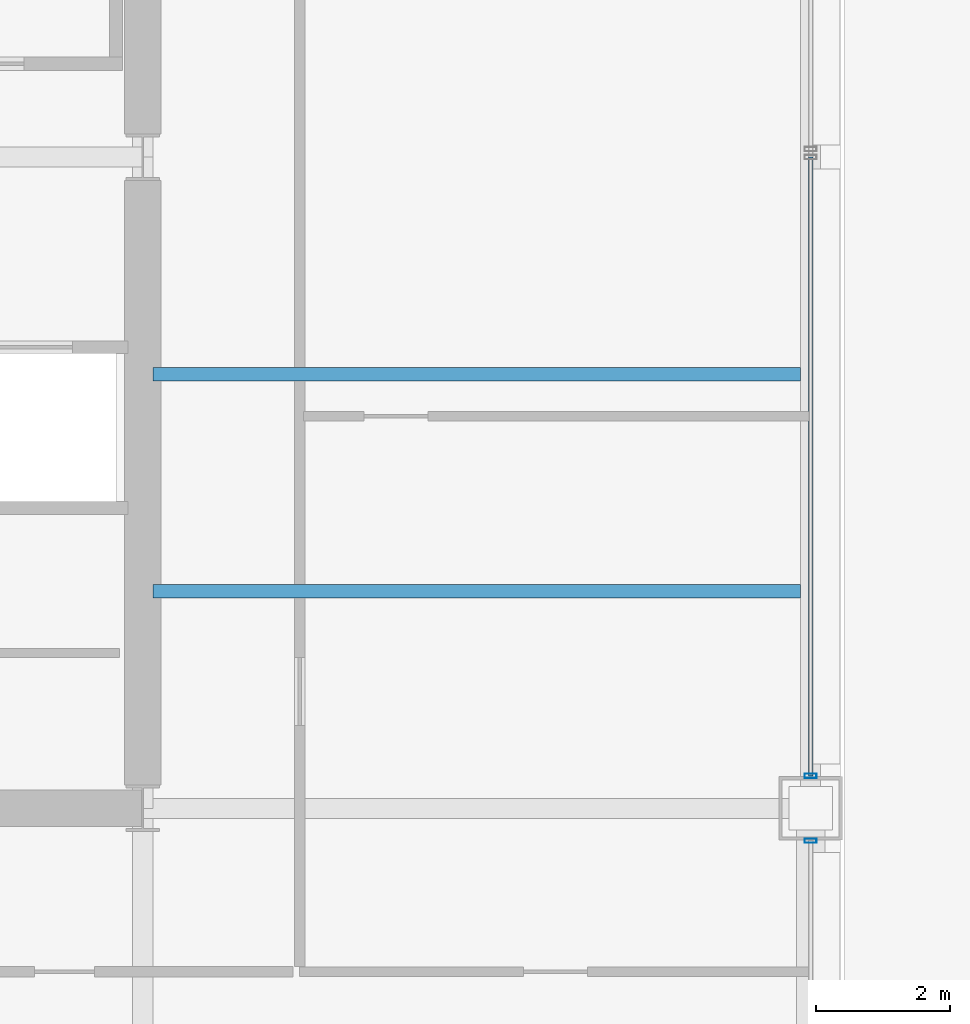
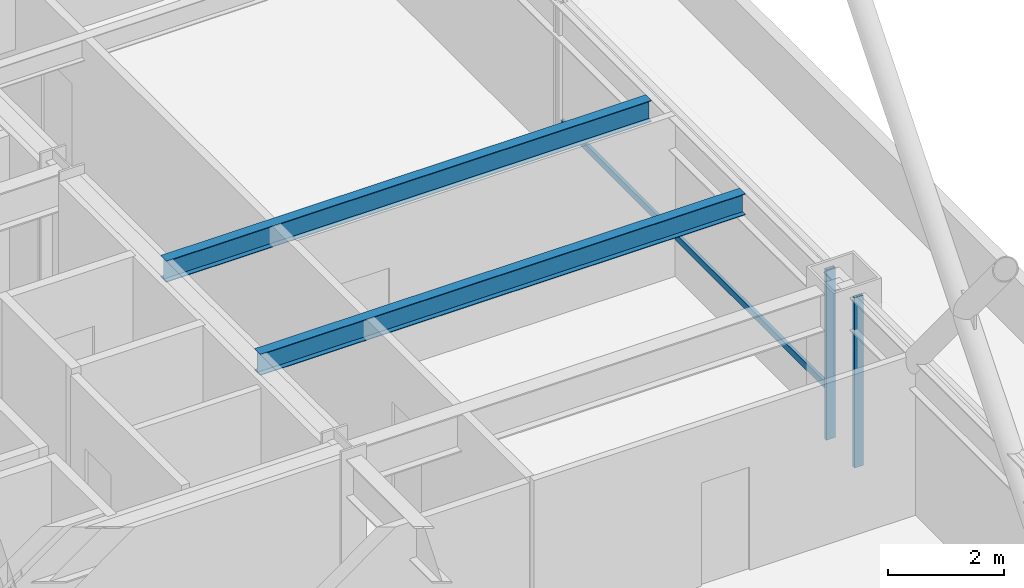
# One storey, part 14 of 33: 3 members, 2 beams, 2 elements without a shape of their own.
"""IFC4 building model written with IfcOpenShell, lengths in metres."""

from ifc_helpers import new_model, si_unit, direction, frame, origin, origin_2d, place, context, subcontext, project, spatial, hollow_rectangle, i_section, extrude, material, layer, layer_set, material_profile, profile_set, type_object, element, aggregate, save


model = new_model("IFC4")

# Units and contexts
model_context = context("Model", 3, precision=1e-05, world=origin(), true_north=direction((0.0, 1.0)))
body_context = subcontext(model_context, "Body", "Model", "MODEL_VIEW")
ifc_project = project(units=[si_unit("LENGTHUNIT", "METRE"), si_unit("AREAUNIT", "SQUARE_METRE"), si_unit("VOLUMEUNIT", "CUBIC_METRE"), si_unit("PLANEANGLEUNIT", "RADIAN"), si_unit("MASSUNIT", "GRAM", prefix="KILO")], contexts=[model_context])

# Site, building, storey
site_placement = place(None, origin())
site = spatial("IfcSite", under=ifc_project, at=site_placement, CompositionType="ELEMENT")
building_placement = place(site_placement, origin())
building = spatial("IfcBuilding", under=site, at=building_placement, Name="Brelmoor Portico Tower", CompositionType="ELEMENT")
storey_placement = place(building_placement, frame((0.0, 0.0, 24.0)))
storey = spatial("IfcBuildingStorey", under=building, at=storey_placement, Name="L05", CompositionType="ELEMENT", Elevation=24.0)

# Beams
ifc_material_1 = material(Name="Steel Q355B", Category="steel")
ifc_material_profile_1 = material_profile(ifc_material_1, i_section(OverallWidth=0.199951171875, OverallDepth=0.449951171875, WebThickness=0.009033203125, FlangeThickness=0.013916015625, at=origin_2d()), Name="HN 450x200x9x14")
ifc_profile_set_1 = profile_set([ifc_material_profile_1], Name="Steel Q355B")
beam_type = type_object("IfcBeamType", Name="BM-JS-450", PredefinedType="JOIST", material=ifc_profile_set_1)
for number, where, z_axis, x_axis, name in (
    (1, (14.699951171875, -6.5, 3.175048828125), (1.0, 0.0, 0.0), (0.0, 1.0, 0.0), "L05 Secondary Wing Joist JS-E08"),
    (2, (14.699951171875, -3.25, 3.175048828125), (1.0, 0.0, 0.0), (0.0, 1.0, 0.0), "L05 Secondary Wing Joist JS-E09"),
):
    element("IfcBeam", number, at=place(storey_placement, frame(where, z_axis=z_axis, x_axis=x_axis)), inside=storey, type_object=beam_type, Name=name, PredefinedType="JOIST", context=body_context, shape_type="SweptSolid", body=[
        extrude(i_section(OverallWidth=0.199951171875, OverallDepth=0.449951171875, WebThickness=0.009033203125, FlangeThickness=0.013916015625, at=origin_2d()), origin(), (0.0, 0.0, 1.0), 9.699951171875),
    ])

# Curtain wall, member
ifc_material_2 = material(Name="Anodised Aluminium Alloy 6063-T6", Category="aluminium")
ifc_layer_1 = layer(ifc_material_2, 0.179931640625)
ifc_layer_set_1 = layer_set([ifc_layer_1], Name="Anodised Aluminium Alloy 6063-T6")
curtain_wall_type_1 = type_object("IfcCurtainWallType", Name="CW-TOWER-Z1-XB", PredefinedType="NOTDEFINED", material=ifc_layer_set_1)
curtain_wall_1_placement = place(storey_placement, origin())
curtain_wall_1 = element("IfcCurtainWall", 3, at=curtain_wall_1_placement, inside=storey, type_object=curtain_wall_type_1, Name="L05 Curtain Wall CW-L05-04-1", PredefinedType="NOTDEFINED")
ifc_material_profile_2 = material_profile(ifc_material_2, hollow_rectangle(XDim=0.06494140625, YDim=0.179931640625, WallThickness=0.00390625, at=origin_2d()), Name="ALU MULLION 65x180")
ifc_profile_set_2 = profile_set([ifc_material_profile_2], Name="Anodised Aluminium Alloy 6063-T6")
member_type_1 = type_object("IfcMemberType", Name="MB-CW-MULL-180", PredefinedType="MULLION", material=ifc_profile_set_2)
member_1_placement = place(storey_placement, frame((24.550048828125, -10.235107421875, -0.199951171875), z_axis=(0.0, 0.0, 1.0), x_axis=(0.0, 1.0, 0.0)))
member_1 = element("IfcMember", 4, at=member_1_placement, type_object=member_type_1, Name="CW-L05-04-1 Mullion 01", PredefinedType="MULLION", context=body_context, shape_type="SweptSolid", body=[
    extrude(hollow_rectangle(XDim=0.06494140625, YDim=0.179931640625, WallThickness=0.00390625, at=origin_2d()), origin(), (0.0, 0.0, 1.0), 3.599853515625),
])
aggregate(curtain_wall_1, [member_1])

# Curtain wall, members
ifc_layer_2 = layer(ifc_material_2, 0.179931640625)
ifc_layer_set_2 = layer_set([ifc_layer_2], Name="Anodised Aluminium Alloy 6063-T6")
curtain_wall_type_2 = type_object("IfcCurtainWallType", Name="CW-TOWER-Z1", PredefinedType="NOTDEFINED", material=ifc_layer_set_2)
curtain_wall_2_placement = place(storey_placement, origin())
curtain_wall_2 = element("IfcCurtainWall", 5, at=curtain_wall_2_placement, inside=storey, type_object=curtain_wall_type_2, Name="L05 Curtain Wall CW-L05-04-2a", PredefinedType="NOTDEFINED")
member_2_placement = place(storey_placement, frame((24.550048828125, -9.264892578125, -0.199951171875), z_axis=(0.0, 0.0, 1.0), x_axis=(0.0, 1.0, 0.0)))
member_2 = element("IfcMember", 6, at=member_2_placement, type_object=member_type_1, Name="CW-L05-04-2a Mullion 00", PredefinedType="MULLION", context=body_context, shape_type="SweptSolid", body=[
    extrude(hollow_rectangle(XDim=0.06494140625, YDim=0.179931640625, WallThickness=0.00390625, at=origin_2d()), origin(), (0.0, 0.0, 1.0), 3.599853515625),
])
ifc_material_profile_3 = material_profile(ifc_material_2, hollow_rectangle(XDim=0.06494140625, YDim=0.139892578125, WallThickness=0.00390625, at=origin_2d()), Name="ALU TRANSOM 65x140")
ifc_profile_set_3 = profile_set([ifc_material_profile_3], Name="Anodised Aluminium Alloy 6063-T6")
member_type_2 = type_object("IfcMemberType", Name="MB-CW-TRAN-140", PredefinedType="USERDEFINED", material=ifc_profile_set_3)
member_3_placement = place(storey_placement, frame((24.550048828125, -9.264892578125, 0.85009765625), z_axis=(0.0, 1.0, 0.0), x_axis=(-1.0, 0.0, 0.0)))
member_3 = element("IfcMember", 7, at=member_3_placement, type_object=member_type_2, Name="CW-L05-04-2a Transom 1-00", ObjectType="TRANSOM", PredefinedType="USERDEFINED", context=body_context, shape_type="SweptSolid", body=[
    extrude(hollow_rectangle(XDim=0.06494140625, YDim=0.139892578125, WallThickness=0.00390625, at=origin_2d()), origin(), (0.0, 0.0, 1.0), 9.264892578125),
])
aggregate(curtain_wall_2, [member_2, member_3])

save(model, "model.ifc")
